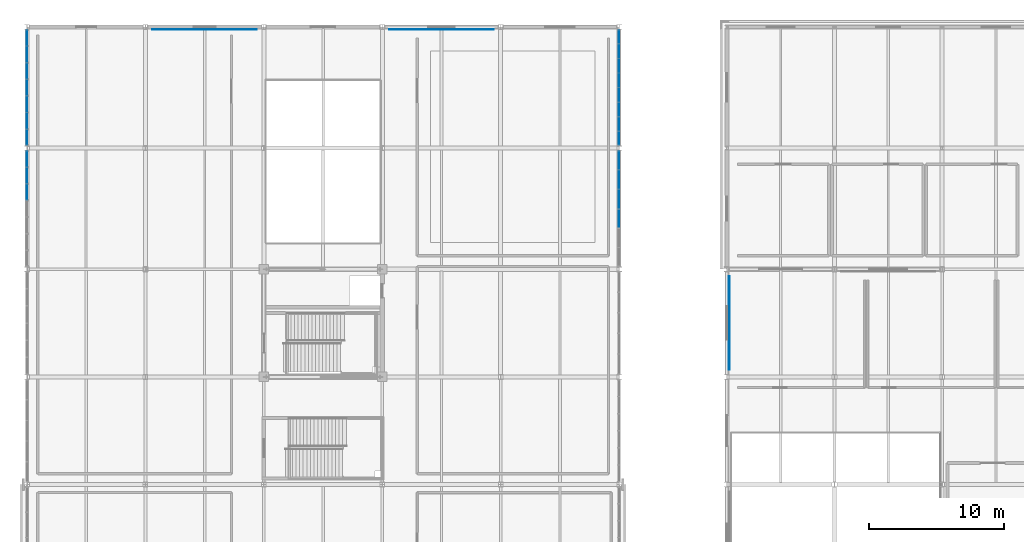
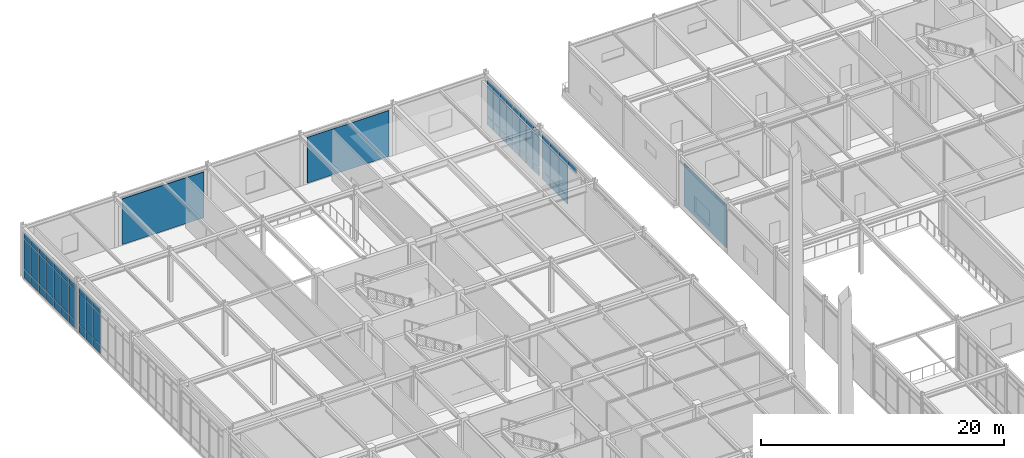
# One storey, part 98 of 184: 67 plates, 4 elements without a shape of their own.
"""IFC4 building model written with IfcOpenShell, lengths in metres."""

from ifc_helpers import new_model, si_unit, direction, frame, origin, origin_2d, place, context, subcontext, project, spatial, rectangle, extrude, material, layer, layer_set, type_object, element, aggregate, save


model = new_model("IFC4")

# Units and contexts
model_context = context("Model", 3, precision=1e-05, world=origin(), true_north=direction((0.0, 1.0)))
body_context = subcontext(model_context, "Body", "Model", "MODEL_VIEW")
ifc_project = project(units=[si_unit("LENGTHUNIT", "METRE"), si_unit("AREAUNIT", "SQUARE_METRE"), si_unit("VOLUMEUNIT", "CUBIC_METRE"), si_unit("PLANEANGLEUNIT", "RADIAN"), si_unit("MASSUNIT", "GRAM", prefix="KILO")], contexts=[model_context])

# Site, building, storey
site_placement = place(None, origin())
site = spatial("IfcSite", under=ifc_project, at=site_placement, CompositionType="ELEMENT")
building_placement = place(site_placement, origin())
building = spatial("IfcBuilding", under=site, at=building_placement, Name="Zhaolan Boulevard Law Courts", CompositionType="ELEMENT")
storey_placement = place(building_placement, frame((0.0, 0.0, 5.39990234375)))
storey = spatial("IfcBuildingStorey", under=building, at=storey_placement, Name="L01", CompositionType="ELEMENT", Elevation=5.39990234375)

# Curtain wall, plates
ifc_material_1 = material(Name="Thermally broken aluminium and low-E glazing", Category="aluminium")
curtain_wall_type_1 = type_object("IfcCurtainWallType", Name="CURTAIN WALL M13", PredefinedType="USERDEFINED", material=ifc_material_1)
curtain_wall_1_placement = place(storey_placement, origin())
curtain_wall_1 = element("IfcCurtainWall", 1, at=curtain_wall_1_placement, inside=storey, type_object=curtain_wall_type_1, Name="Curtain Wall CW-L01-109", ObjectType="CURTAIN WALL", PredefinedType="USERDEFINED")
ifc_material_2 = material(Name="Acoustic laminated low-E glazing", Category="glass")
ifc_layer_1 = layer(ifc_material_2, 0.031982421875)
ifc_layer_set_1 = layer_set([ifc_layer_1])
plate_type_1 = type_object("IfcPlateType", Name="CWPANEL LOW E32", PredefinedType="CURTAIN_PANEL", material=ifc_layer_set_1)
plate_1_placement = place(storey_placement, frame((0.0, 102.189208984375, 0.06494140625), z_axis=(0.0, 0.0, 1.0), x_axis=(0.0, -1.0, 0.0)))
plate_1 = element("IfcPlate", 2, at=plate_1_placement, type_object=plate_type_1, Name="CW-L01-109 panel 1.1", PredefinedType="CURTAIN_PANEL", context=body_context, shape_type="SweptSolid", body=[
    extrude(rectangle(XDim=1.1376953125, YDim=0.031982421875, at=origin_2d()), origin(), (0.0, 0.0, 1.0), 0.802490234375),
])
plate_2_placement = place(storey_placement, frame((0.0, 102.189208984375, 0.9326171875), z_axis=(0.0, 0.0, 1.0), x_axis=(0.0, -1.0, 0.0)))
plate_2 = element("IfcPlate", 3, at=plate_2_placement, type_object=plate_type_1, Name="CW-L01-109 panel 1.2", PredefinedType="CURTAIN_PANEL", context=body_context, shape_type="SweptSolid", body=[
    extrude(rectangle(XDim=1.1376953125, YDim=0.031982421875, at=origin_2d()), origin(), (0.0, 0.0, 1.0), 3.006103515625),
])
plate_3_placement = place(storey_placement, frame((0.0, 102.189208984375, 4.00341796875), z_axis=(0.0, 0.0, 1.0), x_axis=(0.0, -1.0, 0.0)))
plate_3 = element("IfcPlate", 4, at=plate_3_placement, type_object=plate_type_1, Name="CW-L01-109 panel 1.3", PredefinedType="CURTAIN_PANEL", context=body_context, shape_type="SweptSolid", body=[
    extrude(rectangle(XDim=1.1376953125, YDim=0.031982421875, at=origin_2d()), origin(), (0.0, 0.0, 1.0), 0.552490234375),
])
plate_4_placement = place(storey_placement, frame((0.0, 100.97021484375, 0.06494140625), z_axis=(0.0, 0.0, 1.0), x_axis=(0.0, -1.0, 0.0)))
plate_4 = element("IfcPlate", 5, at=plate_4_placement, type_object=plate_type_1, Name="CW-L01-109 panel 2.1", PredefinedType="CURTAIN_PANEL", context=body_context, shape_type="SweptSolid", body=[
    extrude(rectangle(XDim=1.170166015625, YDim=0.031982421875, at=origin_2d()), origin(), (0.0, 0.0, 1.0), 0.802490234375),
])
plate_5_placement = place(storey_placement, frame((0.0, 100.97021484375, 0.9326171875), z_axis=(0.0, 0.0, 1.0), x_axis=(0.0, -1.0, 0.0)))
plate_5 = element("IfcPlate", 6, at=plate_5_placement, type_object=plate_type_1, Name="CW-L01-109 panel 2.2", PredefinedType="CURTAIN_PANEL", context=body_context, shape_type="SweptSolid", body=[
    extrude(rectangle(XDim=1.170166015625, YDim=0.031982421875, at=origin_2d()), origin(), (0.0, 0.0, 1.0), 3.006103515625),
])
plate_6_placement = place(storey_placement, frame((0.0, 100.97021484375, 4.00341796875), z_axis=(0.0, 0.0, 1.0), x_axis=(0.0, -1.0, 0.0)))
plate_6 = element("IfcPlate", 7, at=plate_6_placement, type_object=plate_type_1, Name="CW-L01-109 panel 2.3", PredefinedType="CURTAIN_PANEL", context=body_context, shape_type="SweptSolid", body=[
    extrude(rectangle(XDim=1.170166015625, YDim=0.031982421875, at=origin_2d()), origin(), (0.0, 0.0, 1.0), 0.552490234375),
])
plate_7_placement = place(storey_placement, frame((0.0, 99.735107421875, 0.06494140625), z_axis=(0.0, 0.0, 1.0), x_axis=(0.0, -1.0, 0.0)))
plate_7 = element("IfcPlate", 8, at=plate_7_placement, type_object=plate_type_1, Name="CW-L01-109 panel 3.1", PredefinedType="CURTAIN_PANEL", context=body_context, shape_type="SweptSolid", body=[
    extrude(rectangle(XDim=1.170166015625, YDim=0.031982421875, at=origin_2d()), origin(), (0.0, 0.0, 1.0), 0.802490234375),
])
plate_8_placement = place(storey_placement, frame((0.0, 99.735107421875, 0.9326171875), z_axis=(0.0, 0.0, 1.0), x_axis=(0.0, -1.0, 0.0)))
plate_8 = element("IfcPlate", 9, at=plate_8_placement, type_object=plate_type_1, Name="CW-L01-109 panel 3.2", PredefinedType="CURTAIN_PANEL", context=body_context, shape_type="SweptSolid", body=[
    extrude(rectangle(XDim=1.170166015625, YDim=0.031982421875, at=origin_2d()), origin(), (0.0, 0.0, 1.0), 3.006103515625),
])
plate_9_placement = place(storey_placement, frame((0.0, 99.735107421875, 4.00341796875), z_axis=(0.0, 0.0, 1.0), x_axis=(0.0, -1.0, 0.0)))
plate_9 = element("IfcPlate", 10, at=plate_9_placement, type_object=plate_type_1, Name="CW-L01-109 panel 3.3", PredefinedType="CURTAIN_PANEL", context=body_context, shape_type="SweptSolid", body=[
    extrude(rectangle(XDim=1.170166015625, YDim=0.031982421875, at=origin_2d()), origin(), (0.0, 0.0, 1.0), 0.552490234375),
])
aggregate(curtain_wall_1, [plate_1, plate_2, plate_3, plate_4, plate_5, plate_6, plate_7, plate_8, plate_9])

ifc_material_3 = material(Name="Thermally broken aluminium and low-E glazing", Category="aluminium")
curtain_wall_type_2 = type_object("IfcCurtainWallType", Name="CURTAIN WALL M14", PredefinedType="USERDEFINED", material=ifc_material_3)
curtain_wall_2_placement = place(storey_placement, origin())
curtain_wall_2 = element("IfcCurtainWall", 11, at=curtain_wall_2_placement, inside=storey, type_object=curtain_wall_type_2, Name="Curtain Wall CW-L01-110", ObjectType="CURTAIN WALL", PredefinedType="USERDEFINED")
plate_10_placement = place(storey_placement, frame((0.0, 111.189208984375, 0.06494140625), z_axis=(0.0, 0.0, 1.0), x_axis=(0.0, -1.0, 0.0)))
plate_10 = element("IfcPlate", 12, at=plate_10_placement, type_object=plate_type_1, Name="CW-L01-110 panel 1.1", PredefinedType="CURTAIN_PANEL", context=body_context, shape_type="SweptSolid", body=[
    extrude(rectangle(XDim=1.1376953125, YDim=0.031982421875, at=origin_2d()), origin(), (0.0, 0.0, 1.0), 0.802490234375),
])
plate_11_placement = place(storey_placement, frame((0.0, 111.189208984375, 0.9326171875), z_axis=(0.0, 0.0, 1.0), x_axis=(0.0, -1.0, 0.0)))
plate_11 = element("IfcPlate", 13, at=plate_11_placement, type_object=plate_type_1, Name="CW-L01-110 panel 1.2", PredefinedType="CURTAIN_PANEL", context=body_context, shape_type="SweptSolid", body=[
    extrude(rectangle(XDim=1.1376953125, YDim=0.031982421875, at=origin_2d()), origin(), (0.0, 0.0, 1.0), 3.006103515625),
])
plate_12_placement = place(storey_placement, frame((0.0, 111.189208984375, 4.00341796875), z_axis=(0.0, 0.0, 1.0), x_axis=(0.0, -1.0, 0.0)))
plate_12 = element("IfcPlate", 14, at=plate_12_placement, type_object=plate_type_1, Name="CW-L01-110 panel 1.3", PredefinedType="CURTAIN_PANEL", context=body_context, shape_type="SweptSolid", body=[
    extrude(rectangle(XDim=1.1376953125, YDim=0.031982421875, at=origin_2d()), origin(), (0.0, 0.0, 1.0), 0.552490234375),
])
plate_13_placement = place(storey_placement, frame((0.0, 109.97021484375, 0.06494140625), z_axis=(0.0, 0.0, 1.0), x_axis=(0.0, -1.0, 0.0)))
plate_13 = element("IfcPlate", 15, at=plate_13_placement, type_object=plate_type_1, Name="CW-L01-110 panel 2.1", PredefinedType="CURTAIN_PANEL", context=body_context, shape_type="SweptSolid", body=[
    extrude(rectangle(XDim=1.170166015625, YDim=0.031982421875, at=origin_2d()), origin(), (0.0, 0.0, 1.0), 0.802490234375),
])
plate_14_placement = place(storey_placement, frame((0.0, 109.97021484375, 0.9326171875), z_axis=(0.0, 0.0, 1.0), x_axis=(0.0, -1.0, 0.0)))
plate_14 = element("IfcPlate", 16, at=plate_14_placement, type_object=plate_type_1, Name="CW-L01-110 panel 2.2", PredefinedType="CURTAIN_PANEL", context=body_context, shape_type="SweptSolid", body=[
    extrude(rectangle(XDim=1.170166015625, YDim=0.031982421875, at=origin_2d()), origin(), (0.0, 0.0, 1.0), 3.006103515625),
])
plate_15_placement = place(storey_placement, frame((0.0, 109.97021484375, 4.00341796875), z_axis=(0.0, 0.0, 1.0), x_axis=(0.0, -1.0, 0.0)))
plate_15 = element("IfcPlate", 17, at=plate_15_placement, type_object=plate_type_1, Name="CW-L01-110 panel 2.3", PredefinedType="CURTAIN_PANEL", context=body_context, shape_type="SweptSolid", body=[
    extrude(rectangle(XDim=1.170166015625, YDim=0.031982421875, at=origin_2d()), origin(), (0.0, 0.0, 1.0), 0.552490234375),
])
plate_16_placement = place(storey_placement, frame((0.0, 108.735107421875, 0.06494140625), z_axis=(0.0, 0.0, 1.0), x_axis=(0.0, -1.0, 0.0)))
plate_16 = element("IfcPlate", 18, at=plate_16_placement, type_object=plate_type_1, Name="CW-L01-110 panel 3.1", PredefinedType="CURTAIN_PANEL", context=body_context, shape_type="SweptSolid", body=[
    extrude(rectangle(XDim=1.170166015625, YDim=0.031982421875, at=origin_2d()), origin(), (0.0, 0.0, 1.0), 0.802490234375),
])
plate_17_placement = place(storey_placement, frame((0.0, 108.735107421875, 0.9326171875), z_axis=(0.0, 0.0, 1.0), x_axis=(0.0, -1.0, 0.0)))
plate_17 = element("IfcPlate", 19, at=plate_17_placement, type_object=plate_type_1, Name="CW-L01-110 panel 3.2", PredefinedType="CURTAIN_PANEL", context=body_context, shape_type="SweptSolid", body=[
    extrude(rectangle(XDim=1.170166015625, YDim=0.031982421875, at=origin_2d()), origin(), (0.0, 0.0, 1.0), 3.006103515625),
])
plate_18_placement = place(storey_placement, frame((0.0, 108.735107421875, 4.00341796875), z_axis=(0.0, 0.0, 1.0), x_axis=(0.0, -1.0, 0.0)))
plate_18 = element("IfcPlate", 20, at=plate_18_placement, type_object=plate_type_1, Name="CW-L01-110 panel 3.3", PredefinedType="CURTAIN_PANEL", context=body_context, shape_type="SweptSolid", body=[
    extrude(rectangle(XDim=1.170166015625, YDim=0.031982421875, at=origin_2d()), origin(), (0.0, 0.0, 1.0), 0.552490234375),
])
plate_19_placement = place(storey_placement, frame((0.0, 107.5, 0.06494140625), z_axis=(0.0, 0.0, 1.0), x_axis=(0.0, -1.0, 0.0)))
plate_19 = element("IfcPlate", 21, at=plate_19_placement, type_object=plate_type_1, Name="CW-L01-110 panel 4.1", PredefinedType="CURTAIN_PANEL", context=body_context, shape_type="SweptSolid", body=[
    extrude(rectangle(XDim=1.170166015625, YDim=0.031982421875, at=origin_2d()), origin(), (0.0, 0.0, 1.0), 0.802490234375),
])
plate_20_placement = place(storey_placement, frame((0.0, 107.5, 0.9326171875), z_axis=(0.0, 0.0, 1.0), x_axis=(0.0, -1.0, 0.0)))
plate_20 = element("IfcPlate", 22, at=plate_20_placement, type_object=plate_type_1, Name="CW-L01-110 panel 4.2", PredefinedType="CURTAIN_PANEL", context=body_context, shape_type="SweptSolid", body=[
    extrude(rectangle(XDim=1.170166015625, YDim=0.031982421875, at=origin_2d()), origin(), (0.0, 0.0, 1.0), 3.006103515625),
])
plate_21_placement = place(storey_placement, frame((0.0, 107.5, 4.00341796875), z_axis=(0.0, 0.0, 1.0), x_axis=(0.0, -1.0, 0.0)))
plate_21 = element("IfcPlate", 23, at=plate_21_placement, type_object=plate_type_1, Name="CW-L01-110 panel 4.3", PredefinedType="CURTAIN_PANEL", context=body_context, shape_type="SweptSolid", body=[
    extrude(rectangle(XDim=1.170166015625, YDim=0.031982421875, at=origin_2d()), origin(), (0.0, 0.0, 1.0), 0.552490234375),
])
plate_22_placement = place(storey_placement, frame((0.0, 106.264892578125, 0.06494140625), z_axis=(0.0, 0.0, 1.0), x_axis=(0.0, -1.0, 0.0)))
plate_22 = element("IfcPlate", 24, at=plate_22_placement, type_object=plate_type_1, Name="CW-L01-110 panel 5.1", PredefinedType="CURTAIN_PANEL", context=body_context, shape_type="SweptSolid", body=[
    extrude(rectangle(XDim=1.170166015625, YDim=0.031982421875, at=origin_2d()), origin(), (0.0, 0.0, 1.0), 0.802490234375),
])
plate_23_placement = place(storey_placement, frame((0.0, 106.264892578125, 0.9326171875), z_axis=(0.0, 0.0, 1.0), x_axis=(0.0, -1.0, 0.0)))
plate_23 = element("IfcPlate", 25, at=plate_23_placement, type_object=plate_type_1, Name="CW-L01-110 panel 5.2", PredefinedType="CURTAIN_PANEL", context=body_context, shape_type="SweptSolid", body=[
    extrude(rectangle(XDim=1.170166015625, YDim=0.031982421875, at=origin_2d()), origin(), (0.0, 0.0, 1.0), 3.006103515625),
])
plate_24_placement = place(storey_placement, frame((0.0, 106.264892578125, 4.00341796875), z_axis=(0.0, 0.0, 1.0), x_axis=(0.0, -1.0, 0.0)))
plate_24 = element("IfcPlate", 26, at=plate_24_placement, type_object=plate_type_1, Name="CW-L01-110 panel 5.3", PredefinedType="CURTAIN_PANEL", context=body_context, shape_type="SweptSolid", body=[
    extrude(rectangle(XDim=1.170166015625, YDim=0.031982421875, at=origin_2d()), origin(), (0.0, 0.0, 1.0), 0.552490234375),
])
plate_25_placement = place(storey_placement, frame((0.0, 105.02978515625, 0.06494140625), z_axis=(0.0, 0.0, 1.0), x_axis=(0.0, -1.0, 0.0)))
plate_25 = element("IfcPlate", 27, at=plate_25_placement, type_object=plate_type_1, Name="CW-L01-110 panel 6.1", PredefinedType="CURTAIN_PANEL", context=body_context, shape_type="SweptSolid", body=[
    extrude(rectangle(XDim=1.170166015625, YDim=0.031982421875, at=origin_2d()), origin(), (0.0, 0.0, 1.0), 0.802490234375),
])
plate_26_placement = place(storey_placement, frame((0.0, 105.02978515625, 0.9326171875), z_axis=(0.0, 0.0, 1.0), x_axis=(0.0, -1.0, 0.0)))
plate_26 = element("IfcPlate", 28, at=plate_26_placement, type_object=plate_type_1, Name="CW-L01-110 panel 6.2", PredefinedType="CURTAIN_PANEL", context=body_context, shape_type="SweptSolid", body=[
    extrude(rectangle(XDim=1.170166015625, YDim=0.031982421875, at=origin_2d()), origin(), (0.0, 0.0, 1.0), 3.006103515625),
])
plate_27_placement = place(storey_placement, frame((0.0, 105.02978515625, 4.00341796875), z_axis=(0.0, 0.0, 1.0), x_axis=(0.0, -1.0, 0.0)))
plate_27 = element("IfcPlate", 29, at=plate_27_placement, type_object=plate_type_1, Name="CW-L01-110 panel 6.3", PredefinedType="CURTAIN_PANEL", context=body_context, shape_type="SweptSolid", body=[
    extrude(rectangle(XDim=1.170166015625, YDim=0.031982421875, at=origin_2d()), origin(), (0.0, 0.0, 1.0), 0.552490234375),
])
plate_28_placement = place(storey_placement, frame((0.0, 103.810791015625, 0.06494140625), z_axis=(0.0, 0.0, 1.0), x_axis=(0.0, -1.0, 0.0)))
plate_28 = element("IfcPlate", 30, at=plate_28_placement, type_object=plate_type_1, Name="CW-L01-110 panel 7.1", PredefinedType="CURTAIN_PANEL", context=body_context, shape_type="SweptSolid", body=[
    extrude(rectangle(XDim=1.1376953125, YDim=0.031982421875, at=origin_2d()), origin(), (0.0, 0.0, 1.0), 0.802490234375),
])
plate_29_placement = place(storey_placement, frame((0.0, 103.810791015625, 0.9326171875), z_axis=(0.0, 0.0, 1.0), x_axis=(0.0, -1.0, 0.0)))
plate_29 = element("IfcPlate", 31, at=plate_29_placement, type_object=plate_type_1, Name="CW-L01-110 panel 7.2", PredefinedType="CURTAIN_PANEL", context=body_context, shape_type="SweptSolid", body=[
    extrude(rectangle(XDim=1.1376953125, YDim=0.031982421875, at=origin_2d()), origin(), (0.0, 0.0, 1.0), 3.006103515625),
])
plate_30_placement = place(storey_placement, frame((0.0, 103.810791015625, 4.00341796875), z_axis=(0.0, 0.0, 1.0), x_axis=(0.0, -1.0, 0.0)))
plate_30 = element("IfcPlate", 32, at=plate_30_placement, type_object=plate_type_1, Name="CW-L01-110 panel 7.3", PredefinedType="CURTAIN_PANEL", context=body_context, shape_type="SweptSolid", body=[
    extrude(rectangle(XDim=1.1376953125, YDim=0.031982421875, at=origin_2d()), origin(), (0.0, 0.0, 1.0), 0.552490234375),
])
aggregate(curtain_wall_2, [plate_10, plate_11, plate_12, plate_13, plate_14, plate_15, plate_16, plate_17, plate_18, plate_19, plate_20, plate_21, plate_22, plate_23, plate_24, plate_25, plate_26, plate_27, plate_28, plate_29, plate_30])

ifc_material_4 = material(Name="Thermally broken aluminium and low-E glazing", Category="aluminium")
curtain_wall_type_3 = type_object("IfcCurtainWallType", Name="CURTAIN WALL M17", PredefinedType="USERDEFINED", material=ifc_material_4)
curtain_wall_3_placement = place(storey_placement, origin())
curtain_wall_3 = element("IfcCurtainWall", 33, at=curtain_wall_3_placement, inside=storey, type_object=curtain_wall_type_3, Name="Curtain Wall CW-L01-113", ObjectType="CURTAIN WALL", PredefinedType="USERDEFINED")
plate_31_placement = place(storey_placement, frame((44.0, 97.779541015625, 4.00341796875), z_axis=(0.0, 0.0, 1.0), x_axis=(0.0, 1.0, 0.0)))
plate_31 = element("IfcPlate", 34, at=plate_31_placement, type_object=plate_type_1, Name="CW-L01-113 panel 3.3", PredefinedType="CURTAIN_PANEL", context=body_context, shape_type="SweptSolid", body=[
    extrude(rectangle(XDim=1.3759765625, YDim=0.031982421875, at=origin_2d()), origin(), (0.0, 0.0, 1.0), 0.552490234375),
])
plate_32_placement = place(storey_placement, frame((44.0, 99.220458984375, 0.06494140625), z_axis=(0.0, 0.0, 1.0), x_axis=(0.0, 1.0, 0.0)))
plate_32 = element("IfcPlate", 35, at=plate_32_placement, type_object=plate_type_1, Name="CW-L01-113 panel 4.1", PredefinedType="CURTAIN_PANEL", context=body_context, shape_type="SweptSolid", body=[
    extrude(rectangle(XDim=1.3759765625, YDim=0.031982421875, at=origin_2d()), origin(), (0.0, 0.0, 1.0), 0.802490234375),
])
plate_33_placement = place(storey_placement, frame((44.0, 99.220458984375, 0.9326171875), z_axis=(0.0, 0.0, 1.0), x_axis=(0.0, 1.0, 0.0)))
plate_33 = element("IfcPlate", 36, at=plate_33_placement, type_object=plate_type_1, Name="CW-L01-113 panel 4.2", PredefinedType="CURTAIN_PANEL", context=body_context, shape_type="SweptSolid", body=[
    extrude(rectangle(XDim=1.3759765625, YDim=0.031982421875, at=origin_2d()), origin(), (0.0, 0.0, 1.0), 3.006103515625),
])
plate_34_placement = place(storey_placement, frame((44.0, 99.220458984375, 4.00341796875), z_axis=(0.0, 0.0, 1.0), x_axis=(0.0, 1.0, 0.0)))
plate_34 = element("IfcPlate", 37, at=plate_34_placement, type_object=plate_type_1, Name="CW-L01-113 panel 4.3", PredefinedType="CURTAIN_PANEL", context=body_context, shape_type="SweptSolid", body=[
    extrude(rectangle(XDim=1.3759765625, YDim=0.031982421875, at=origin_2d()), origin(), (0.0, 0.0, 1.0), 0.552490234375),
])
plate_35_placement = place(storey_placement, frame((44.0, 100.66162109375, 0.06494140625), z_axis=(0.0, 0.0, 1.0), x_axis=(0.0, 1.0, 0.0)))
plate_35 = element("IfcPlate", 38, at=plate_35_placement, type_object=plate_type_1, Name="CW-L01-113 panel 5.1", PredefinedType="CURTAIN_PANEL", context=body_context, shape_type="SweptSolid", body=[
    extrude(rectangle(XDim=1.3759765625, YDim=0.031982421875, at=origin_2d()), origin(), (0.0, 0.0, 1.0), 0.802490234375),
])
plate_36_placement = place(storey_placement, frame((44.0, 100.66162109375, 0.9326171875), z_axis=(0.0, 0.0, 1.0), x_axis=(0.0, 1.0, 0.0)))
plate_36 = element("IfcPlate", 39, at=plate_36_placement, type_object=plate_type_1, Name="CW-L01-113 panel 5.2", PredefinedType="CURTAIN_PANEL", context=body_context, shape_type="SweptSolid", body=[
    extrude(rectangle(XDim=1.3759765625, YDim=0.031982421875, at=origin_2d()), origin(), (0.0, 0.0, 1.0), 3.006103515625),
])
plate_37_placement = place(storey_placement, frame((44.0, 100.66162109375, 4.00341796875), z_axis=(0.0, 0.0, 1.0), x_axis=(0.0, 1.0, 0.0)))
plate_37 = element("IfcPlate", 40, at=plate_37_placement, type_object=plate_type_1, Name="CW-L01-113 panel 5.3", PredefinedType="CURTAIN_PANEL", context=body_context, shape_type="SweptSolid", body=[
    extrude(rectangle(XDim=1.3759765625, YDim=0.031982421875, at=origin_2d()), origin(), (0.0, 0.0, 1.0), 0.552490234375),
])
plate_38_placement = place(storey_placement, frame((44.0, 102.086181640625, 0.06494140625), z_axis=(0.0, 0.0, 1.0), x_axis=(0.0, 1.0, 0.0)))
plate_38 = element("IfcPlate", 41, at=plate_38_placement, type_object=plate_type_1, Name="CW-L01-113 panel 6.1", PredefinedType="CURTAIN_PANEL", context=body_context, shape_type="SweptSolid", body=[
    extrude(rectangle(XDim=1.343505859375, YDim=0.031982421875, at=origin_2d()), origin(), (0.0, 0.0, 1.0), 0.802490234375),
])
plate_39_placement = place(storey_placement, frame((44.0, 102.086181640625, 0.9326171875), z_axis=(0.0, 0.0, 1.0), x_axis=(0.0, 1.0, 0.0)))
plate_39 = element("IfcPlate", 42, at=plate_39_placement, type_object=plate_type_1, Name="CW-L01-113 panel 6.2", PredefinedType="CURTAIN_PANEL", context=body_context, shape_type="SweptSolid", body=[
    extrude(rectangle(XDim=1.343505859375, YDim=0.031982421875, at=origin_2d()), origin(), (0.0, 0.0, 1.0), 3.006103515625),
])
plate_40_placement = place(storey_placement, frame((44.0, 102.086181640625, 4.00341796875), z_axis=(0.0, 0.0, 1.0), x_axis=(0.0, 1.0, 0.0)))
plate_40 = element("IfcPlate", 43, at=plate_40_placement, type_object=plate_type_1, Name="CW-L01-113 panel 6.3", PredefinedType="CURTAIN_PANEL", context=body_context, shape_type="SweptSolid", body=[
    extrude(rectangle(XDim=1.343505859375, YDim=0.031982421875, at=origin_2d()), origin(), (0.0, 0.0, 1.0), 0.552490234375),
])
aggregate(curtain_wall_3, [plate_31, plate_32, plate_33, plate_34, plate_35, plate_36, plate_37, plate_38, plate_39, plate_40])

ifc_material_5 = material(Name="Thermally broken aluminium and low-E glazing", Category="aluminium")
curtain_wall_type_4 = type_object("IfcCurtainWallType", Name="CURTAIN WALL M18", PredefinedType="USERDEFINED", material=ifc_material_5)
curtain_wall_4_placement = place(storey_placement, origin())
curtain_wall_4 = element("IfcCurtainWall", 44, at=curtain_wall_4_placement, inside=storey, type_object=curtain_wall_type_4, Name="Curtain Wall CW-L01-114", ObjectType="CURTAIN WALL", PredefinedType="USERDEFINED")
plate_41_placement = place(storey_placement, frame((44.0, 103.733642578125, 0.06494140625), z_axis=(0.0, 0.0, 1.0), x_axis=(0.0, 1.0, 0.0)))
plate_41 = element("IfcPlate", 45, at=plate_41_placement, type_object=plate_type_1, Name="CW-L01-114 panel 1.1", PredefinedType="CURTAIN_PANEL", context=body_context, shape_type="SweptSolid", body=[
    extrude(rectangle(XDim=0.983154296875, YDim=0.031982421875, at=origin_2d()), origin(), (0.0, 0.0, 1.0), 0.802490234375),
])
plate_42_placement = place(storey_placement, frame((44.0, 103.733642578125, 0.9326171875), z_axis=(0.0, 0.0, 1.0), x_axis=(0.0, 1.0, 0.0)))
plate_42 = element("IfcPlate", 46, at=plate_42_placement, type_object=plate_type_1, Name="CW-L01-114 panel 1.2", PredefinedType="CURTAIN_PANEL", context=body_context, shape_type="SweptSolid", body=[
    extrude(rectangle(XDim=0.983154296875, YDim=0.031982421875, at=origin_2d()), origin(), (0.0, 0.0, 1.0), 3.006103515625),
])
plate_43_placement = place(storey_placement, frame((44.0, 103.733642578125, 4.00341796875), z_axis=(0.0, 0.0, 1.0), x_axis=(0.0, 1.0, 0.0)))
plate_43 = element("IfcPlate", 47, at=plate_43_placement, type_object=plate_type_1, Name="CW-L01-114 panel 1.3", PredefinedType="CURTAIN_PANEL", context=body_context, shape_type="SweptSolid", body=[
    extrude(rectangle(XDim=0.983154296875, YDim=0.031982421875, at=origin_2d()), origin(), (0.0, 0.0, 1.0), 0.552490234375),
])
plate_44_placement = place(storey_placement, frame((44.0, 104.798095703125, 0.06494140625), z_axis=(0.0, 0.0, 1.0), x_axis=(0.0, 1.0, 0.0)))
plate_44 = element("IfcPlate", 48, at=plate_44_placement, type_object=plate_type_1, Name="CW-L01-114 panel 2.1", PredefinedType="CURTAIN_PANEL", context=body_context, shape_type="SweptSolid", body=[
    extrude(rectangle(XDim=1.015869140625, YDim=0.031982421875, at=origin_2d()), origin(), (0.0, 0.0, 1.0), 0.802490234375),
])
plate_45_placement = place(storey_placement, frame((44.0, 104.798095703125, 0.9326171875), z_axis=(0.0, 0.0, 1.0), x_axis=(0.0, 1.0, 0.0)))
plate_45 = element("IfcPlate", 49, at=plate_45_placement, type_object=plate_type_1, Name="CW-L01-114 panel 2.2", PredefinedType="CURTAIN_PANEL", context=body_context, shape_type="SweptSolid", body=[
    extrude(rectangle(XDim=1.015869140625, YDim=0.031982421875, at=origin_2d()), origin(), (0.0, 0.0, 1.0), 3.006103515625),
])
plate_46_placement = place(storey_placement, frame((44.0, 104.798095703125, 4.00341796875), z_axis=(0.0, 0.0, 1.0), x_axis=(0.0, 1.0, 0.0)))
plate_46 = element("IfcPlate", 50, at=plate_46_placement, type_object=plate_type_1, Name="CW-L01-114 panel 2.3", PredefinedType="CURTAIN_PANEL", context=body_context, shape_type="SweptSolid", body=[
    extrude(rectangle(XDim=1.015869140625, YDim=0.031982421875, at=origin_2d()), origin(), (0.0, 0.0, 1.0), 0.552490234375),
])
plate_47_placement = place(storey_placement, frame((44.0, 105.87890625, 0.06494140625), z_axis=(0.0, 0.0, 1.0), x_axis=(0.0, 1.0, 0.0)))
plate_47 = element("IfcPlate", 51, at=plate_47_placement, type_object=plate_type_1, Name="CW-L01-114 panel 3.1", PredefinedType="CURTAIN_PANEL", context=body_context, shape_type="SweptSolid", body=[
    extrude(rectangle(XDim=1.015869140625, YDim=0.031982421875, at=origin_2d()), origin(), (0.0, 0.0, 1.0), 0.802490234375),
])
plate_48_placement = place(storey_placement, frame((44.0, 105.87890625, 0.9326171875), z_axis=(0.0, 0.0, 1.0), x_axis=(0.0, 1.0, 0.0)))
plate_48 = element("IfcPlate", 52, at=plate_48_placement, type_object=plate_type_1, Name="CW-L01-114 panel 3.2", PredefinedType="CURTAIN_PANEL", context=body_context, shape_type="SweptSolid", body=[
    extrude(rectangle(XDim=1.015869140625, YDim=0.031982421875, at=origin_2d()), origin(), (0.0, 0.0, 1.0), 3.006103515625),
])
plate_49_placement = place(storey_placement, frame((44.0, 105.87890625, 4.00341796875), z_axis=(0.0, 0.0, 1.0), x_axis=(0.0, 1.0, 0.0)))
plate_49 = element("IfcPlate", 53, at=plate_49_placement, type_object=plate_type_1, Name="CW-L01-114 panel 3.3", PredefinedType="CURTAIN_PANEL", context=body_context, shape_type="SweptSolid", body=[
    extrude(rectangle(XDim=1.015869140625, YDim=0.031982421875, at=origin_2d()), origin(), (0.0, 0.0, 1.0), 0.552490234375),
])
plate_50_placement = place(storey_placement, frame((44.0, 106.959716796875, 0.06494140625), z_axis=(0.0, 0.0, 1.0), x_axis=(0.0, 1.0, 0.0)))
plate_50 = element("IfcPlate", 54, at=plate_50_placement, type_object=plate_type_1, Name="CW-L01-114 panel 4.1", PredefinedType="CURTAIN_PANEL", context=body_context, shape_type="SweptSolid", body=[
    extrude(rectangle(XDim=1.015869140625, YDim=0.031982421875, at=origin_2d()), origin(), (0.0, 0.0, 1.0), 0.802490234375),
])
plate_51_placement = place(storey_placement, frame((44.0, 106.959716796875, 0.9326171875), z_axis=(0.0, 0.0, 1.0), x_axis=(0.0, 1.0, 0.0)))
plate_51 = element("IfcPlate", 55, at=plate_51_placement, type_object=plate_type_1, Name="CW-L01-114 panel 4.2", PredefinedType="CURTAIN_PANEL", context=body_context, shape_type="SweptSolid", body=[
    extrude(rectangle(XDim=1.015869140625, YDim=0.031982421875, at=origin_2d()), origin(), (0.0, 0.0, 1.0), 3.006103515625),
])
plate_52_placement = place(storey_placement, frame((44.0, 106.959716796875, 4.00341796875), z_axis=(0.0, 0.0, 1.0), x_axis=(0.0, 1.0, 0.0)))
plate_52 = element("IfcPlate", 56, at=plate_52_placement, type_object=plate_type_1, Name="CW-L01-114 panel 4.3", PredefinedType="CURTAIN_PANEL", context=body_context, shape_type="SweptSolid", body=[
    extrude(rectangle(XDim=1.015869140625, YDim=0.031982421875, at=origin_2d()), origin(), (0.0, 0.0, 1.0), 0.552490234375),
])
plate_53_placement = place(storey_placement, frame((44.0, 108.040283203125, 0.06494140625), z_axis=(0.0, 0.0, 1.0), x_axis=(0.0, 1.0, 0.0)))
plate_53 = element("IfcPlate", 57, at=plate_53_placement, type_object=plate_type_1, Name="CW-L01-114 panel 5.1", PredefinedType="CURTAIN_PANEL", context=body_context, shape_type="SweptSolid", body=[
    extrude(rectangle(XDim=1.015869140625, YDim=0.031982421875, at=origin_2d()), origin(), (0.0, 0.0, 1.0), 0.802490234375),
])
plate_54_placement = place(storey_placement, frame((44.0, 108.040283203125, 0.9326171875), z_axis=(0.0, 0.0, 1.0), x_axis=(0.0, 1.0, 0.0)))
plate_54 = element("IfcPlate", 58, at=plate_54_placement, type_object=plate_type_1, Name="CW-L01-114 panel 5.2", PredefinedType="CURTAIN_PANEL", context=body_context, shape_type="SweptSolid", body=[
    extrude(rectangle(XDim=1.015869140625, YDim=0.031982421875, at=origin_2d()), origin(), (0.0, 0.0, 1.0), 3.006103515625),
])
plate_55_placement = place(storey_placement, frame((44.0, 108.040283203125, 4.00341796875), z_axis=(0.0, 0.0, 1.0), x_axis=(0.0, 1.0, 0.0)))
plate_55 = element("IfcPlate", 59, at=plate_55_placement, type_object=plate_type_1, Name="CW-L01-114 panel 5.3", PredefinedType="CURTAIN_PANEL", context=body_context, shape_type="SweptSolid", body=[
    extrude(rectangle(XDim=1.015869140625, YDim=0.031982421875, at=origin_2d()), origin(), (0.0, 0.0, 1.0), 0.552490234375),
])
plate_56_placement = place(storey_placement, frame((44.0, 109.12109375, 0.06494140625), z_axis=(0.0, 0.0, 1.0), x_axis=(0.0, 1.0, 0.0)))
plate_56 = element("IfcPlate", 60, at=plate_56_placement, type_object=plate_type_1, Name="CW-L01-114 panel 6.1", PredefinedType="CURTAIN_PANEL", context=body_context, shape_type="SweptSolid", body=[
    extrude(rectangle(XDim=1.015869140625, YDim=0.031982421875, at=origin_2d()), origin(), (0.0, 0.0, 1.0), 0.802490234375),
])
plate_57_placement = place(storey_placement, frame((44.0, 109.12109375, 0.9326171875), z_axis=(0.0, 0.0, 1.0), x_axis=(0.0, 1.0, 0.0)))
plate_57 = element("IfcPlate", 61, at=plate_57_placement, type_object=plate_type_1, Name="CW-L01-114 panel 6.2", PredefinedType="CURTAIN_PANEL", context=body_context, shape_type="SweptSolid", body=[
    extrude(rectangle(XDim=1.015869140625, YDim=0.031982421875, at=origin_2d()), origin(), (0.0, 0.0, 1.0), 3.006103515625),
])
plate_58_placement = place(storey_placement, frame((44.0, 109.12109375, 4.00341796875), z_axis=(0.0, 0.0, 1.0), x_axis=(0.0, 1.0, 0.0)))
plate_58 = element("IfcPlate", 62, at=plate_58_placement, type_object=plate_type_1, Name="CW-L01-114 panel 6.3", PredefinedType="CURTAIN_PANEL", context=body_context, shape_type="SweptSolid", body=[
    extrude(rectangle(XDim=1.015869140625, YDim=0.031982421875, at=origin_2d()), origin(), (0.0, 0.0, 1.0), 0.552490234375),
])
plate_59_placement = place(storey_placement, frame((44.0, 110.201904296875, 0.06494140625), z_axis=(0.0, 0.0, 1.0), x_axis=(0.0, 1.0, 0.0)))
plate_59 = element("IfcPlate", 63, at=plate_59_placement, type_object=plate_type_1, Name="CW-L01-114 panel 7.1", PredefinedType="CURTAIN_PANEL", context=body_context, shape_type="SweptSolid", body=[
    extrude(rectangle(XDim=1.015869140625, YDim=0.031982421875, at=origin_2d()), origin(), (0.0, 0.0, 1.0), 0.802490234375),
])
plate_60_placement = place(storey_placement, frame((44.0, 110.201904296875, 0.9326171875), z_axis=(0.0, 0.0, 1.0), x_axis=(0.0, 1.0, 0.0)))
plate_60 = element("IfcPlate", 64, at=plate_60_placement, type_object=plate_type_1, Name="CW-L01-114 panel 7.2", PredefinedType="CURTAIN_PANEL", context=body_context, shape_type="SweptSolid", body=[
    extrude(rectangle(XDim=1.015869140625, YDim=0.031982421875, at=origin_2d()), origin(), (0.0, 0.0, 1.0), 3.006103515625),
])
plate_61_placement = place(storey_placement, frame((44.0, 110.201904296875, 4.00341796875), z_axis=(0.0, 0.0, 1.0), x_axis=(0.0, 1.0, 0.0)))
plate_61 = element("IfcPlate", 65, at=plate_61_placement, type_object=plate_type_1, Name="CW-L01-114 panel 7.3", PredefinedType="CURTAIN_PANEL", context=body_context, shape_type="SweptSolid", body=[
    extrude(rectangle(XDim=1.015869140625, YDim=0.031982421875, at=origin_2d()), origin(), (0.0, 0.0, 1.0), 0.552490234375),
])
plate_62_placement = place(storey_placement, frame((44.0, 111.266357421875, 0.06494140625), z_axis=(0.0, 0.0, 1.0), x_axis=(0.0, 1.0, 0.0)))
plate_62 = element("IfcPlate", 66, at=plate_62_placement, type_object=plate_type_1, Name="CW-L01-114 panel 8.1", PredefinedType="CURTAIN_PANEL", context=body_context, shape_type="SweptSolid", body=[
    extrude(rectangle(XDim=0.983154296875, YDim=0.031982421875, at=origin_2d()), origin(), (0.0, 0.0, 1.0), 0.802490234375),
])
plate_63_placement = place(storey_placement, frame((44.0, 111.266357421875, 0.9326171875), z_axis=(0.0, 0.0, 1.0), x_axis=(0.0, 1.0, 0.0)))
plate_63 = element("IfcPlate", 67, at=plate_63_placement, type_object=plate_type_1, Name="CW-L01-114 panel 8.2", PredefinedType="CURTAIN_PANEL", context=body_context, shape_type="SweptSolid", body=[
    extrude(rectangle(XDim=0.983154296875, YDim=0.031982421875, at=origin_2d()), origin(), (0.0, 0.0, 1.0), 3.006103515625),
])
plate_64_placement = place(storey_placement, frame((44.0, 111.266357421875, 4.00341796875), z_axis=(0.0, 0.0, 1.0), x_axis=(0.0, 1.0, 0.0)))
plate_64 = element("IfcPlate", 68, at=plate_64_placement, type_object=plate_type_1, Name="CW-L01-114 panel 8.3", PredefinedType="CURTAIN_PANEL", context=body_context, shape_type="SweptSolid", body=[
    extrude(rectangle(XDim=0.983154296875, YDim=0.031982421875, at=origin_2d()), origin(), (0.0, 0.0, 1.0), 0.552490234375),
])
aggregate(curtain_wall_4, [plate_41, plate_42, plate_43, plate_44, plate_45, plate_46, plate_47, plate_48, plate_49, plate_50, plate_51, plate_52, plate_53, plate_54, plate_55, plate_56, plate_57, plate_58, plate_59, plate_60, plate_61, plate_62, plate_63, plate_64])

# Plates
ifc_material_6 = material(Name="Pale mist-grey standing-seam Al-Mg-Mn zinc-titanium")
ifc_layer_2 = layer(ifc_material_6, 0.0400390625)
ifc_layer_set_2 = layer_set([ifc_layer_2])
plate_type_2 = type_object("IfcPlateType", Name="STANDING SEAM PLATE 40", PredefinedType="SHEET", material=ifc_layer_set_2)
plate_65_placement = place(storey_placement, frame((30.800048828125, 111.830078125, 0.099609375), z_axis=(0.0, 0.0, 1.0), x_axis=(-1.0, 0.0, 0.0)))
element("IfcPlate", 69, at=plate_65_placement, inside=storey, type_object=plate_type_2, Name="Standing-Seam Metal Wall Cladding SSP-L01-348", PredefinedType="SHEET", context=body_context, shape_type="SweptSolid", body=[
    extrude(rectangle(XDim=7.760009765625, YDim=0.0400390625, at=origin_2d()), origin(), (0.0, 0.0, 1.0), 4.60302734375),
])
ifc_material_7 = material(Name="Pale mist-grey standing-seam Al-Mg-Mn zinc-titanium")
ifc_layer_3 = layer(ifc_material_7, 0.06005859375)
ifc_layer_set_3 = layer_set([ifc_layer_3])
plate_type_3 = type_object("IfcPlateType", Name="STANDING SEAM PLATE 60", PredefinedType="SHEET", material=ifc_layer_set_3)
plate_66_placement = place(storey_placement, frame((52.179931640625, 90.0, 0.1005859375), z_axis=(0.0, 0.0, 1.0), x_axis=(0.0, -1.0, 0.0)))
element("IfcPlate", 70, at=plate_66_placement, inside=storey, type_object=plate_type_3, Name="Standing-Seam Metal Wall Cladding SSP-L01-232", PredefinedType="SHEET", context=body_context, shape_type="SweptSolid", body=[
    extrude(rectangle(XDim=6.9599609375, YDim=0.06005859375, at=origin_2d()), origin(), (0.0, 0.0, 1.0), 4.302978515625),
])
plate_67_placement = place(storey_placement, frame((13.199951171875, 111.820068359375, 0.099609375), z_axis=(0.0, 0.0, 1.0), x_axis=(-1.0, 0.0, 0.0)))
element("IfcPlate", 71, at=plate_67_placement, inside=storey, type_object=plate_type_3, Name="Standing-Seam Metal Wall Cladding SSP-L01-346", PredefinedType="SHEET", context=body_context, shape_type="SweptSolid", body=[
    extrude(rectangle(XDim=7.760009765625, YDim=0.06005859375, at=origin_2d()), origin(), (0.0, 0.0, 1.0), 4.60302734375),
])

save(model, "model.ifc")
